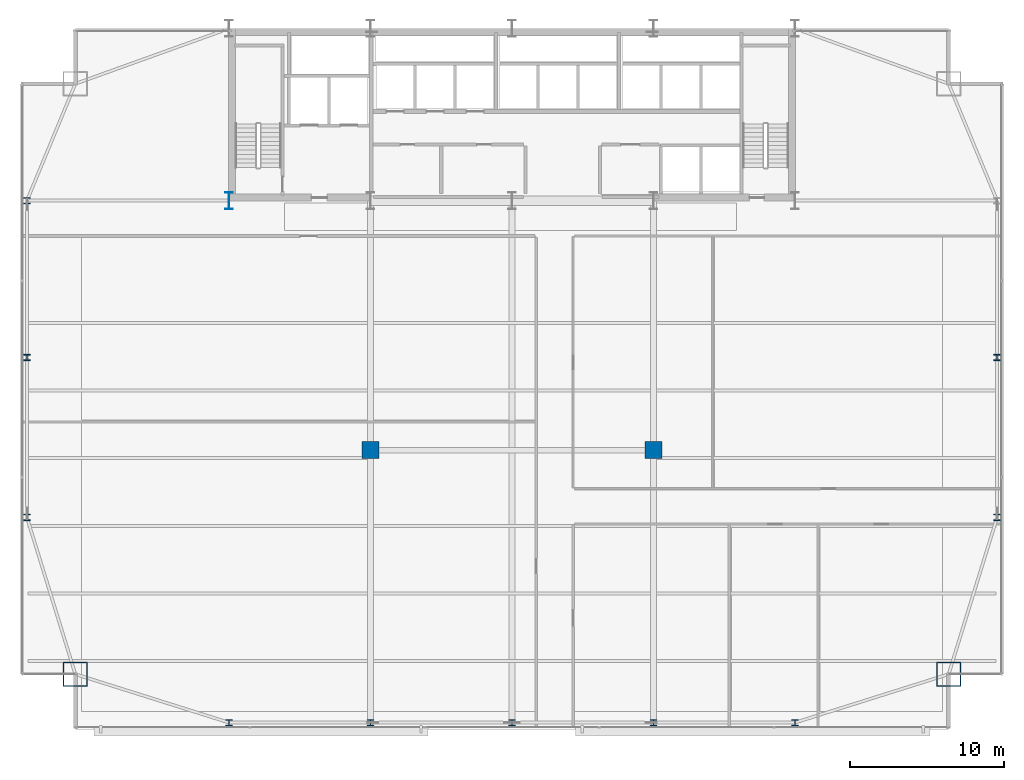
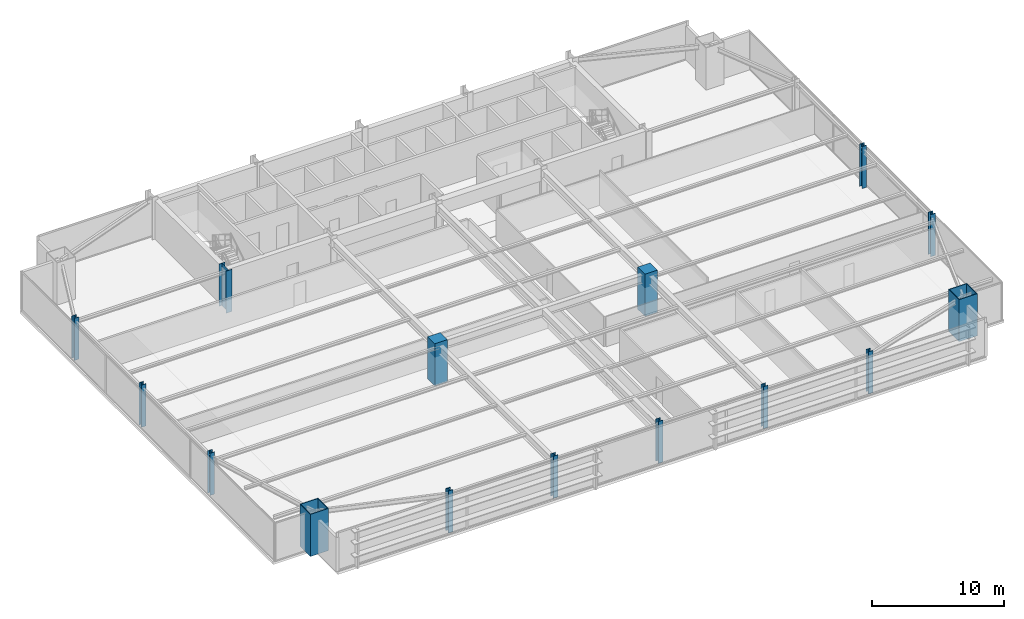
# One storey, part 1 of 32: 15 columns.
"""IFC4 building model written with IfcOpenShell, lengths in metres."""

from ifc_helpers import new_model, si_unit, direction, frame, origin, origin_2d, place, context, subcontext, project, spatial, rectangle, hollow_rectangle, i_section, extrude, source, transform, mapped, material, material_profile, profile_set, type_object, type_shapes, element, save


model = new_model("IFC4")

# Units and contexts
model_context = context("Model", 3, precision=1e-05, world=origin(), true_north=direction((0.0, 1.0)))
body_context = subcontext(model_context, "Body", "Model", "MODEL_VIEW")
ifc_project = project(units=[si_unit("LENGTHUNIT", "METRE"), si_unit("AREAUNIT", "SQUARE_METRE"), si_unit("VOLUMEUNIT", "CUBIC_METRE"), si_unit("PLANEANGLEUNIT", "RADIAN"), si_unit("MASSUNIT", "GRAM", prefix="KILO")], contexts=[model_context])

# Site, building, storey
site_placement = place(None, origin())
site = spatial("IfcSite", under=ifc_project, at=site_placement, CompositionType="ELEMENT")
building_placement = place(site_placement, origin())
building = spatial("IfcBuilding", under=site, at=building_placement, Name="Varnel Quay Broadcast Tower", CompositionType="ELEMENT")
storey_placement = place(building_placement, frame((0.0, 0.0, 78.300048828125)))
storey = spatial("IfcBuildingStorey", under=building, at=storey_placement, Name="L18", CompositionType="ELEMENT", Elevation=78.300048828125)

# Columns
ifc_material_1 = material(Name="Structural Steel CSA G40.21 350WT", Category="steel")
ifc_material_profile_1 = material_profile(ifc_material_1, i_section(OverallWidth=0.5, OverallDepth=1.10009765625, WebThickness=0.01806640625, FlangeThickness=0.031982421875, FilletRadius=0.01806640625, at=origin_2d()), Name="WWF1100X418")
ifc_profile_set_1 = profile_set([ifc_material_profile_1], Name="Structural Steel CSA G40.21 350WT")
column_type_1 = type_object("IfcColumnType", Name="Col_WWF1100X418", PredefinedType="COLUMN", material=ifc_profile_set_1)
shared_shape_1 = source(origin(), body_context, "Body", "SweptSolid", [
    extrude(i_section(OverallWidth=0.5, OverallDepth=1.10009765625, WebThickness=0.01806640625, FlangeThickness=0.031982421875, FilletRadius=0.01806640625, at=origin_2d()), origin(), (0.0, 0.0, 1.0), 3.89990234375),
])
type_shapes(column_type_1, [shared_shape_1])
column_placement = place(storey_placement, frame((15.60009765625, 35.60009765625, 0.0), z_axis=(0.0, 0.0, 1.0), x_axis=(1.0, 0.0, 0.0)))
element("IfcColumn", 1, at=column_placement, inside=storey, type_object=column_type_1, Name="L18 Column CC-S1", PredefinedType="COLUMN", context=body_context, shape_type="MappedRepresentation", body=[
    mapped(shared_shape_1, transform((0.0, 0.0, 0.0), x_axis=(1.0, 0.0, 0.0), y_axis=(0.0, 1.0, 0.0), z_axis=(0.0, 0.0, 1.0), scale=1.0)),
])
ifc_material_profile_2 = material_profile(ifc_material_1, hollow_rectangle(XDim=1.60009765625, YDim=1.60009765625, WallThickness=0.06005859375, at=origin_2d()), Name="BOX1600X1600X60")
ifc_profile_set_2 = profile_set([ifc_material_profile_2], Name="Structural Steel CSA G40.21 350WT")
column_type_2 = type_object("IfcColumnType", Name="Col_BOX1600X1600X60", PredefinedType="COLUMN", material=ifc_profile_set_2)
shared_shape_2 = source(origin(), body_context, "Body", "SweptSolid", [
    extrude(hollow_rectangle(XDim=1.60009765625, YDim=1.60009765625, WallThickness=0.06005859375, at=origin_2d()), origin(), (0.0, 0.0, 1.0), 3.89990234375),
])
type_shapes(column_type_2, [shared_shape_2])
for number, where, z_axis, x_axis, name in (
    (2, (5.60009765625, 4.800048828125, 0.0), (0.0, 0.0, 1.0), (1.0, 0.0, 0.0), "L18 Column MC-SW"),
    (3, (62.39990234375, 4.800048828125, 0.0), (0.0, 0.0, 1.0), (1.0, 0.0, 0.0), "L18 Column MC-SE"),
):
    element("IfcColumn", number, at=place(storey_placement, frame(where, z_axis=z_axis, x_axis=x_axis)), inside=storey, type_object=column_type_2, Name=name, PredefinedType="COLUMN", context=body_context, shape_type="MappedRepresentation", body=[
        mapped(shared_shape_2, transform((0.0, 0.0, 0.0), x_axis=(1.0, 0.0, 0.0), y_axis=(0.0, 1.0, 0.0), z_axis=(0.0, 0.0, 1.0), scale=1.0)),
    ])
ifc_material_2 = material(Name="Structural Steel CSA G40.21 350W", Category="steel")
ifc_material_profile_3 = material_profile(ifc_material_2, i_section(OverallWidth=0.404052734375, OverallDepth=0.406982421875, WebThickness=0.027099609375, FlangeThickness=0.043701171875, FilletRadius=0.01806640625, at=origin_2d()), Name="W360X347")
ifc_profile_set_3 = profile_set([ifc_material_profile_3], Name="Structural Steel CSA G40.21 350W")
column_type_3 = type_object("IfcColumnType", Name="Col_W360X347", PredefinedType="COLUMN", material=ifc_profile_set_3)
shared_shape_3 = source(origin(), body_context, "Body", "SweptSolid", [
    extrude(i_section(OverallWidth=0.404052734375, OverallDepth=0.406982421875, WebThickness=0.027099609375, FlangeThickness=0.043701171875, FilletRadius=0.01806640625, at=origin_2d()), origin(), (0.0, 0.0, 1.0), 3.89990234375),
])
type_shapes(column_type_3, [shared_shape_3])
for number, where, z_axis, x_axis, name in (
    (4, (15.60009765625, 1.64990234375, 0.0), (0.0, 0.0, 1.0), (1.0, 0.0, 0.0), "L18 Column TC-S1"),
    (5, (24.800048828125, 1.64990234375, 0.0), (0.0, 0.0, 1.0), (1.0, 0.0, 0.0), "L18 Column TC-S2"),
    (6, (34.0, 1.64990234375, 0.0), (0.0, 0.0, 1.0), (1.0, 0.0, 0.0), "L18 Column TC-S3"),
    (7, (43.199951171875, 1.64990234375, 0.0), (0.0, 0.0, 1.0), (1.0, 0.0, 0.0), "L18 Column TC-S4"),
    (8, (52.39990234375, 1.64990234375, 0.0), (0.0, 0.0, 1.0), (1.0, 0.0, 0.0), "L18 Column TC-S5"),
    (9, (2.449951171875, 15.0, 0.0), (0.0, 0.0, 1.0), (1.0, 0.0, 0.0), "L18 Column TC-W1"),
    (10, (65.550048828125, 15.0, 0.0), (0.0, 0.0, 1.0), (1.0, 0.0, 0.0), "L18 Column TC-E1"),
    (11, (2.449951171875, 25.39990234375, 0.0), (0.0, 0.0, 1.0), (1.0, 0.0, 0.0), "L18 Column TC-W2"),
    (12, (65.550048828125, 25.39990234375, 0.0), (0.0, 0.0, 1.0), (1.0, 0.0, 0.0), "L18 Column TC-E2"),
    (13, (2.449951171875, 35.60009765625, 0.0), (0.0, 0.0, 1.0), (1.0, 0.0, 0.0), "L18 Column TC-W3"),
):
    element("IfcColumn", number, at=place(storey_placement, frame(where, z_axis=z_axis, x_axis=x_axis)), inside=storey, type_object=column_type_3, Name=name, PredefinedType="COLUMN", context=body_context, shape_type="MappedRepresentation", body=[
        mapped(shared_shape_3, transform((0.0, 0.0, 0.0), x_axis=(1.0, 0.0, 0.0), y_axis=(0.0, 1.0, 0.0), z_axis=(0.0, 0.0, 1.0), scale=1.0)),
    ])
ifc_material_3 = material(Name="Concrete CSA A23.3 C60/75", Category="concrete")
ifc_material_profile_4 = material_profile(ifc_material_3, rectangle(XDim=1.10009765625, YDim=1.10009765625, at=origin_2d()), Name="RC1100X1100")
ifc_profile_set_4 = profile_set([ifc_material_profile_4], Name="Concrete CSA A23.3 C60/75")
column_type_4 = type_object("IfcColumnType", Name="Col_RC1100X1100", PredefinedType="COLUMN", material=ifc_profile_set_4)
shared_shape_4 = source(origin(), body_context, "Body", "SweptSolid", [
    extrude(rectangle(XDim=1.10009765625, YDim=1.10009765625, at=origin_2d()), origin(), (0.0, 0.0, 1.0), 3.89990234375),
])
type_shapes(column_type_4, [shared_shape_4])
for number, where, z_axis, x_axis, name in (
    (14, (24.800048828125, 19.3701171875, 0.0), (0.0, 0.0, 1.0), (1.0, 0.0, 0.0), "L18 Column IC-01"),
    (15, (43.199951171875, 19.3701171875, 0.0), (0.0, 0.0, 1.0), (1.0, 0.0, 0.0), "L18 Column IC-02"),
):
    element("IfcColumn", number, at=place(storey_placement, frame(where, z_axis=z_axis, x_axis=x_axis)), inside=storey, type_object=column_type_4, Name=name, PredefinedType="COLUMN", context=body_context, shape_type="MappedRepresentation", body=[
        mapped(shared_shape_4, transform((0.0, 0.0, 0.0), x_axis=(1.0, 0.0, 0.0), y_axis=(0.0, 1.0, 0.0), z_axis=(0.0, 0.0, 1.0), scale=1.0)),
    ])

save(model, "model.ifc")
